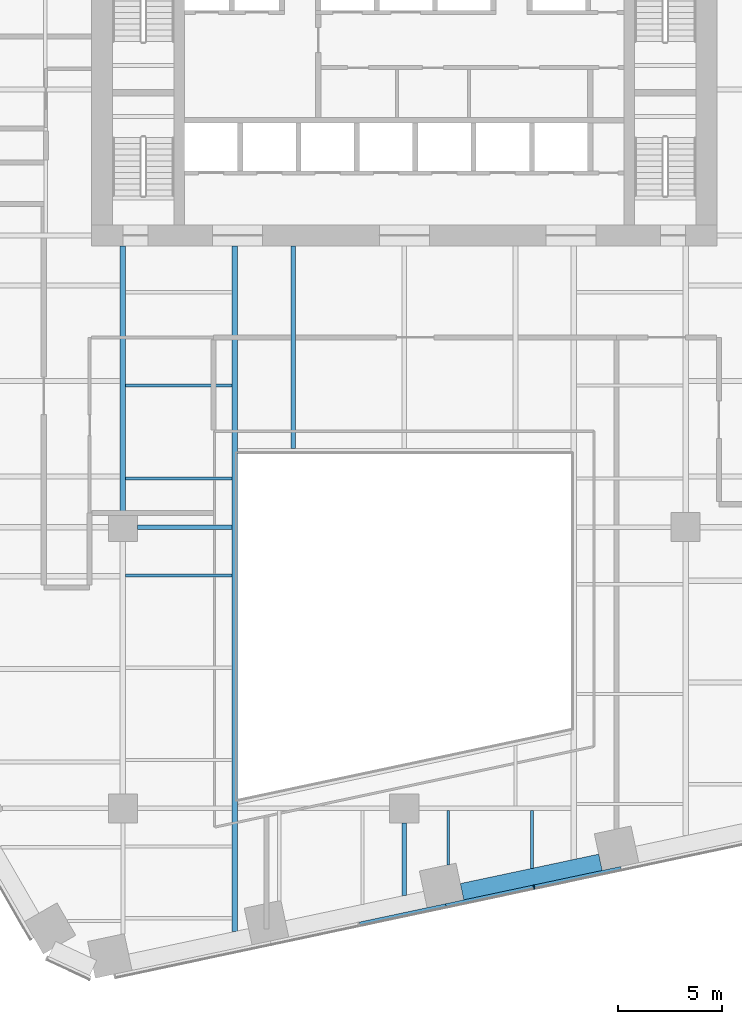
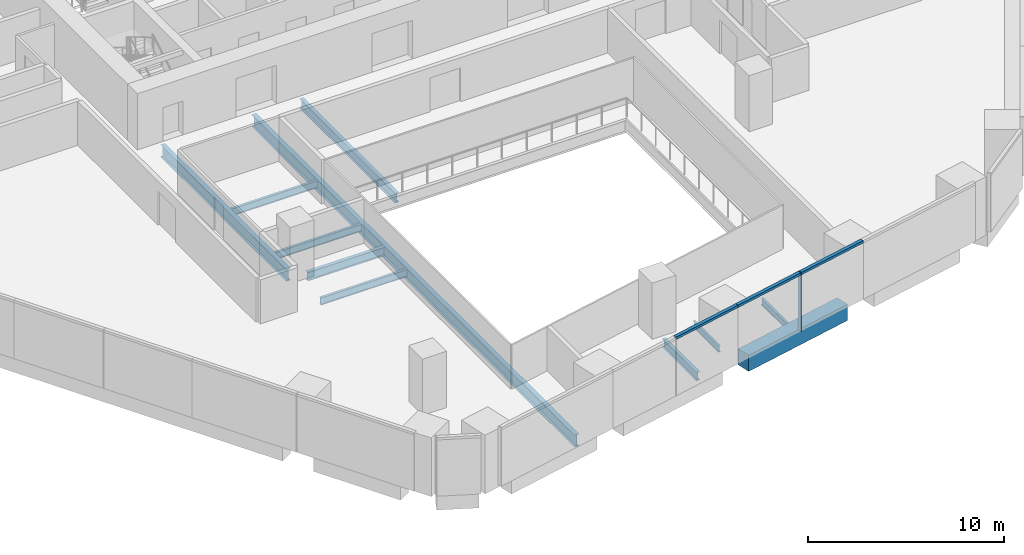
# One storey, part 4 of 21: 11 beams, 4 members, 1 element without a shape of its own.
"""IFC4 building model written with IfcOpenShell, lengths in metres."""

from ifc_helpers import new_model, si_unit, direction, frame, origin, origin_2d, place, context, subcontext, project, spatial, rectangle, i_section, extrude, material, layer, layer_set, material_profile, profile_set, type_object, element, aggregate, save


model = new_model("IFC4")

# Units and contexts
model_context = context("Model", 3, precision=1e-05, world=origin(), true_north=direction((0.0, 1.0)))
body_context = subcontext(model_context, "Body", "Model", "MODEL_VIEW")
ifc_project = project(units=[si_unit("LENGTHUNIT", "METRE"), si_unit("AREAUNIT", "SQUARE_METRE"), si_unit("VOLUMEUNIT", "CUBIC_METRE"), si_unit("PLANEANGLEUNIT", "RADIAN"), si_unit("MASSUNIT", "GRAM", prefix="KILO")], contexts=[model_context])

# Site, building, storey
site_placement = place(None, origin())
site = spatial("IfcSite", under=ifc_project, at=site_placement, CompositionType="ELEMENT")
building_placement = place(site_placement, origin())
building = spatial("IfcBuilding", under=site, at=building_placement, Name="Isthmus Gate Tower", CompositionType="ELEMENT")
storey_placement = place(building_placement, frame((0.0, 0.0, 50.60009765625)))
storey = spatial("IfcBuildingStorey", under=building, at=storey_placement, Name="L10", CompositionType="ELEMENT", Elevation=50.60009765625)

# Curtain wall, members
ifc_material_1 = material(Name="Aluminium, pale champagne anodised", Category="aluminium")
ifc_layer = layer(ifc_material_1, 0.199951171875)
ifc_layer_set = layer_set([ifc_layer], Name="CW-1 UNITISED CURTAIN WALL 200 DEEP")
curtain_wall_type = type_object("IfcCurtainWallType", Name="CW-1 UNITISED CURTAIN WALL 200 DEEP", PredefinedType="NOTDEFINED", material=ifc_layer_set)
curtain_wall_placement = place(storey_placement, origin())
curtain_wall = element("IfcCurtainWall", 1, at=curtain_wall_placement, inside=storey, type_object=curtain_wall_type, Name="CW-1 S L10", PredefinedType="NOTDEFINED")
ifc_material_2 = material(Name="Aluminium, pale champagne anodised", Category="aluminium")
ifc_material_profile_1 = material_profile(ifc_material_2, rectangle(XDim=0.06005859375, YDim=0.199951171875, at=origin_2d()), Name="60x200")
ifc_profile_set_1 = profile_set([ifc_material_profile_1], Name="Aluminium, pale champagne anodised")
member_type_1 = type_object("IfcMemberType", Name="CW-1 MULLION 60 X 200", PredefinedType="MULLION", material=ifc_profile_set_1)
member_1_placement = place(storey_placement, frame((6.228759765625, -30.7783203125, 0.0), z_axis=(0.0, 0.0, 1.0), x_axis=(0.978147600734, 0.207911690818, 0.0)))
member_1 = element("IfcMember", 2, at=member_1_placement, type_object=member_type_1, Name="CW-1 mullion", PredefinedType="MULLION", context=body_context, shape_type="SweptSolid", body=[
    extrude(rectangle(XDim=0.06005859375, YDim=0.199951171875, at=origin_2d()), origin(), (0.0, 0.0, 1.0), 3.64990234375),
])
ifc_material_3 = material(Name="Aluminium, pale champagne anodised", Category="aluminium")
ifc_material_profile_2 = material_profile(ifc_material_3, rectangle(XDim=0.199951171875, YDim=0.14990234375, at=origin_2d()), Name="200x150")
ifc_profile_set_2 = profile_set([ifc_material_profile_2], Name="Aluminium, pale champagne anodised")
member_type_2 = type_object("IfcMemberType", Name="CW-1 TRANSOM 200 X 150", PredefinedType="USERDEFINED", material=ifc_profile_set_2)
member_2_placement = place(storey_placement, frame((-2.1435546875, -32.557861328125, 3.574951171875), z_axis=(0.978150351608, 0.20789874855, 0.0), x_axis=(-0.20789874855, 0.978150351608, 0.0)))
member_2 = element("IfcMember", 3, at=member_2_placement, type_object=member_type_2, Name="CW-1 transom", ObjectType="TRANSOM", PredefinedType="USERDEFINED", context=body_context, shape_type="SweptSolid", body=[
    extrude(rectangle(XDim=0.199951171875, YDim=0.14990234375, at=origin_2d()), origin(), (0.0, 0.0, 1.0), 4.234619140625),
])
member_3_placement = place(storey_placement, frame((1.99853515625, -31.677490234375, 3.574951171875), z_axis=(0.97813890815, 0.207952582007, 0.0), x_axis=(-0.207952582007, 0.97813890815, 0.0)))
member_3 = element("IfcMember", 4, at=member_3_placement, type_object=member_type_2, Name="CW-1 transom", ObjectType="TRANSOM", PredefinedType="USERDEFINED", context=body_context, shape_type="SweptSolid", body=[
    extrude(rectangle(XDim=0.199951171875, YDim=0.14990234375, at=origin_2d()), origin(), (0.0, 0.0, 1.0), 4.294677734375),
])
member_4_placement = place(storey_placement, frame((6.258056640625, -30.77197265625, 3.574951171875), z_axis=(0.978150351608, 0.20789874855, 0.0), x_axis=(-0.20789874855, 0.978150351608, 0.0)))
member_4 = element("IfcMember", 5, at=member_4_placement, type_object=member_type_2, Name="CW-1 transom", ObjectType="TRANSOM", PredefinedType="USERDEFINED", context=body_context, shape_type="SweptSolid", body=[
    extrude(rectangle(XDim=0.199951171875, YDim=0.14990234375, at=origin_2d()), origin(), (0.0, 0.0, 1.0), 4.234619140625),
])
aggregate(curtain_wall, [member_2, member_3, member_1, member_4])

# Beams
ifc_material_4 = material(Name="Concrete f'c 70 MPa", Category="concrete")
ifc_material_profile_3 = material_profile(ifc_material_4, rectangle(XDim=0.800048828125, YDim=1.0, at=origin_2d()), Name="RC 800X1000")
ifc_profile_set_3 = profile_set([ifc_material_profile_3], Name="Concrete f'c 70 MPa")
beam_type_1 = type_object("IfcBeamType", Name="RC SPANDREL 800 X 1000", PredefinedType="SPANDREL", material=ifc_profile_set_3)
beam_1_placement = place(storey_placement, frame((9.415771484375, -29.589599609375, -0.5), z_axis=(-0.978145779981, -0.207920256603, 0.0), x_axis=(0.207920256603, -0.978145779981, 0.0)))
element("IfcBeam", 6, at=beam_1_placement, inside=storey, type_object=beam_type_1, Name="str-spandrel-L10-11", PredefinedType="SPANDREL", context=body_context, shape_type="SweptSolid", body=[
    extrude(rectangle(XDim=0.800048828125, YDim=1.0, at=origin_2d()), origin(), (0.0, 0.0, 1.0), 6.789306640625),
])
ifc_material_5 = material(Name="Structural steel ASTM A992 Gr 50", Category="steel")
ifc_material_profile_4 = material_profile(ifc_material_5, i_section(OverallWidth=0.1396484375, OverallDepth=0.4033203125, WebThickness=0.00634765625, FlangeThickness=0.010986328125, at=origin_2d()), Name="W16X31")
ifc_profile_set_4 = profile_set([ifc_material_profile_4], Name="Structural steel ASTM A992 Gr 50")
beam_type_2 = type_object("IfcBeamType", Name="STEEL FLOOR BEAM W16X31", PredefinedType="JOIST", material=ifc_profile_set_4)
beam_2_placement = place(storey_placement, frame((2.111572265625, -29.7109375, -0.351806640625), z_axis=(0.0, 1.0, 0.0), x_axis=(-1.0, 0.0, 0.0)))
element("IfcBeam", 7, at=beam_2_placement, inside=storey, type_object=beam_type_2, Name="str-beam-L10-18-00", PredefinedType="JOIST", context=body_context, shape_type="SweptSolid", body=[
    extrude(i_section(OverallWidth=0.1396484375, OverallDepth=0.4033203125, WebThickness=0.00634765625, FlangeThickness=0.010986328125, at=origin_2d()), origin(), (0.0, 0.0, 1.0), 2.5966796875),
])
beam_3_placement = place(storey_placement, frame((6.125, -29.880126953125, -0.351806640625), z_axis=(0.0, 1.0, 0.0), x_axis=(-1.0, 0.0, 0.0)))
element("IfcBeam", 8, at=beam_3_placement, inside=storey, type_object=beam_type_2, Name="str-beam-L10-18-01", PredefinedType="JOIST", context=body_context, shape_type="SweptSolid", body=[
    extrude(i_section(OverallWidth=0.1396484375, OverallDepth=0.4033203125, WebThickness=0.00634765625, FlangeThickness=0.010986328125, at=origin_2d()), origin(), (0.0, 0.0, 1.0), 2.765869140625),
])
ifc_material_6 = material(Name="Structural steel ASTM A992 Gr 50", Category="steel")
ifc_material_profile_5 = material_profile(ifc_material_6, i_section(OverallWidth=0.15234375, OverallDepth=0.45068359375, WebThickness=0.0078125, FlangeThickness=0.010986328125, at=origin_2d()), Name="W18X35")
ifc_profile_set_5 = profile_set([ifc_material_profile_5], Name="Structural steel ASTM A992 Gr 50")
beam_type_3 = type_object("IfcBeamType", Name="STEEL FLOOR BEAM W18X35", PredefinedType="JOIST", material=ifc_profile_set_5)
for number, where, z_axis, x_axis, name in (
    (9, (-13.3681640625, -11.16259765625, -0.37548828125), (1.0, 0.0, 0.0), (0.0, 1.0, 0.0), "str-beam-L10-11-00"),
    (10, (-13.3681640625, -6.697509765625, -0.37548828125), (1.0, 0.0, 0.0), (0.0, 1.0, 0.0), "str-beam-L10-11-01"),
    (11, (-13.3681640625, -15.81982421875, -0.37548828125), (1.0, 0.0, 0.0), (0.0, 1.0, 0.0), "str-beam-L10-12-02"),
):
    element("IfcBeam", number, at=place(storey_placement, frame(where, z_axis=z_axis, x_axis=x_axis)), inside=storey, type_object=beam_type_3, Name=name, PredefinedType="JOIST", context=body_context, shape_type="SweptSolid", body=[
        extrude(i_section(OverallWidth=0.15234375, OverallDepth=0.45068359375, WebThickness=0.0078125, FlangeThickness=0.010986328125, at=origin_2d()), origin(), (0.0, 0.0, 1.0), 5.1015625),
    ])
ifc_material_7 = material(Name="Structural steel ASTM A992 Gr 50", Category="steel")
ifc_material_profile_6 = material_profile(ifc_material_7, i_section(OverallWidth=0.228515625, OverallDepth=0.603271484375, WebThickness=0.010986328125, FlangeThickness=0.014404296875, at=origin_2d()), Name="W24X68")
ifc_profile_set_6 = profile_set([ifc_material_profile_6], Name="Structural steel ASTM A992 Gr 50")
beam_type_4 = type_object("IfcBeamType", Name="STEEL FLOOR BEAM W24X68", PredefinedType="JOIST", material=ifc_profile_set_6)
beam_4_placement = place(storey_placement, frame((-5.333251953125, -9.7333984375, -0.45166015625), z_axis=(0.0, 1.0, 0.0), x_axis=(-1.0, 0.0, 0.0)))
element("IfcBeam", 12, at=beam_4_placement, inside=storey, type_object=beam_type_4, Name="str-beam-L10-16-00", PredefinedType="JOIST", context=body_context, shape_type="SweptSolid", body=[
    extrude(i_section(OverallWidth=0.228515625, OverallDepth=0.603271484375, WebThickness=0.010986328125, FlangeThickness=0.014404296875, at=origin_2d()), origin(), (0.0, 0.0, 1.0), 9.7333984375),
])
ifc_material_8 = material(Name="Structural steel ASTM A992 Gr 50", Category="steel")
ifc_material_profile_7 = material_profile(ifc_material_8, i_section(OverallWidth=0.20947265625, OverallDepth=0.533447265625, WebThickness=0.009521484375, FlangeThickness=0.015869140625, at=origin_2d()), Name="W21X62")
ifc_profile_set_7 = profile_set([ifc_material_profile_7], Name="Structural steel ASTM A992 Gr 50")
beam_type_5 = type_object("IfcBeamType", Name="STEEL GIRDER W21X62", PredefinedType="BEAM", material=ifc_profile_set_7)
beam_5_placement = place(storey_placement, frame((-12.800048828125, -13.5, -0.416748046875), z_axis=(1.0, 0.0, 0.0), x_axis=(0.0, 1.0, 0.0)))
element("IfcBeam", 13, at=beam_5_placement, inside=storey, type_object=beam_type_5, Name="str-girder-L10-06", PredefinedType="BEAM", context=body_context, shape_type="SweptSolid", body=[
    extrude(i_section(OverallWidth=0.20947265625, OverallDepth=0.533447265625, WebThickness=0.009521484375, FlangeThickness=0.015869140625, at=origin_2d()), origin(), (0.0, 0.0, 1.0), 4.533447265625),
])
beam_6_placement = place(storey_placement, frame((0.0, -31.18212890625, -0.416748046875), z_axis=(0.0, 1.0, 0.0), x_axis=(-1.0, 0.0, 0.0)))
element("IfcBeam", 14, at=beam_6_placement, inside=storey, type_object=beam_type_5, Name="str-girder-L10-28", PredefinedType="BEAM", context=body_context, shape_type="SweptSolid", body=[
    extrude(i_section(OverallWidth=0.20947265625, OverallDepth=0.533447265625, WebThickness=0.009521484375, FlangeThickness=0.015869140625, at=origin_2d()), origin(), (0.0, 0.0, 1.0), 3.482177734375),
])
ifc_material_9 = material(Name="Structural steel ASTM A992 Gr 50", Category="steel")
ifc_material_profile_8 = material_profile(ifc_material_9, i_section(OverallWidth=0.263427734375, OverallDepth=0.749267578125, WebThickness=0.0126953125, FlangeThickness=0.015869140625, at=origin_2d()), Name="W30X90")
ifc_profile_set_8 = profile_set([ifc_material_profile_8], Name="Structural steel ASTM A992 Gr 50")
beam_type_6 = type_object("IfcBeamType", Name="STEEL GIRDER W30X90", PredefinedType="BEAM", material=ifc_profile_set_8)
beam_7_placement = place(storey_placement, frame((-13.5, -12.800048828125, -0.524658203125), z_axis=(0.0, 1.0, 0.0), x_axis=(-1.0, 0.0, 0.0)))
element("IfcBeam", 15, at=beam_7_placement, inside=storey, type_object=beam_type_6, Name="str-girder-L10-25", PredefinedType="BEAM", context=body_context, shape_type="SweptSolid", body=[
    extrude(i_section(OverallWidth=0.263427734375, OverallDepth=0.749267578125, WebThickness=0.0126953125, FlangeThickness=0.015869140625, at=origin_2d()), origin(), (0.0, 0.0, 1.0), 12.800048828125),
])
ifc_material_10 = material(Name="Structural steel ASTM A992 Gr 50", Category="steel")
ifc_material_profile_9 = material_profile(ifc_material_10, i_section(OverallWidth=0.2666015625, OverallDepth=0.7587890625, WebThickness=0.014404296875, FlangeThickness=0.01904296875, at=origin_2d()), Name="W30X108")
ifc_profile_set_9 = profile_set([ifc_material_profile_9], Name="Structural steel ASTM A992 Gr 50")
beam_type_7 = type_object("IfcBeamType", Name="STEEL TRIMMER W30X108", PredefinedType="BEAM", material=ifc_profile_set_9)
beam_8_placement = place(storey_placement, frame((-8.13330078125, 0.0, -0.529541015625), z_axis=(0.0, -1.0, 0.0), x_axis=(1.0, 0.0, 0.0)))
element("IfcBeam", 16, at=beam_8_placement, inside=storey, type_object=beam_type_7, Name="str-trimmer-L10-02", PredefinedType="BEAM", context=body_context, shape_type="SweptSolid", body=[
    extrude(i_section(OverallWidth=0.2666015625, OverallDepth=0.7587890625, WebThickness=0.014404296875, FlangeThickness=0.01904296875, at=origin_2d()), origin(), (0.0, 0.0, 1.0), 32.910888671875),
])

save(model, "model.ifc")
